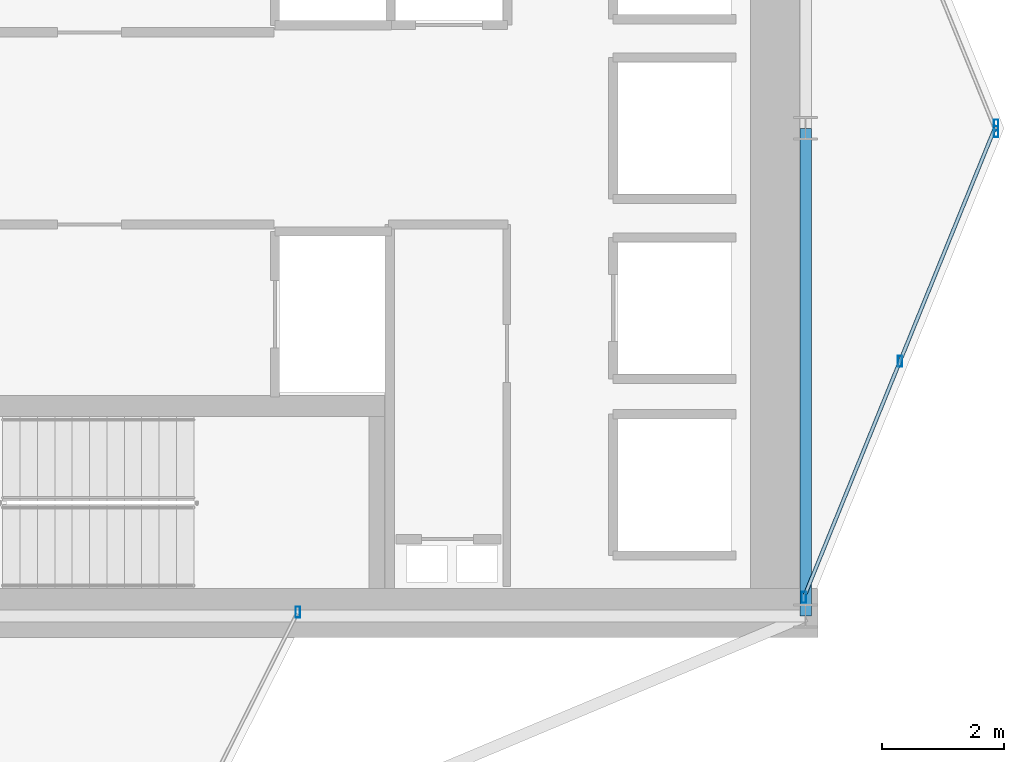
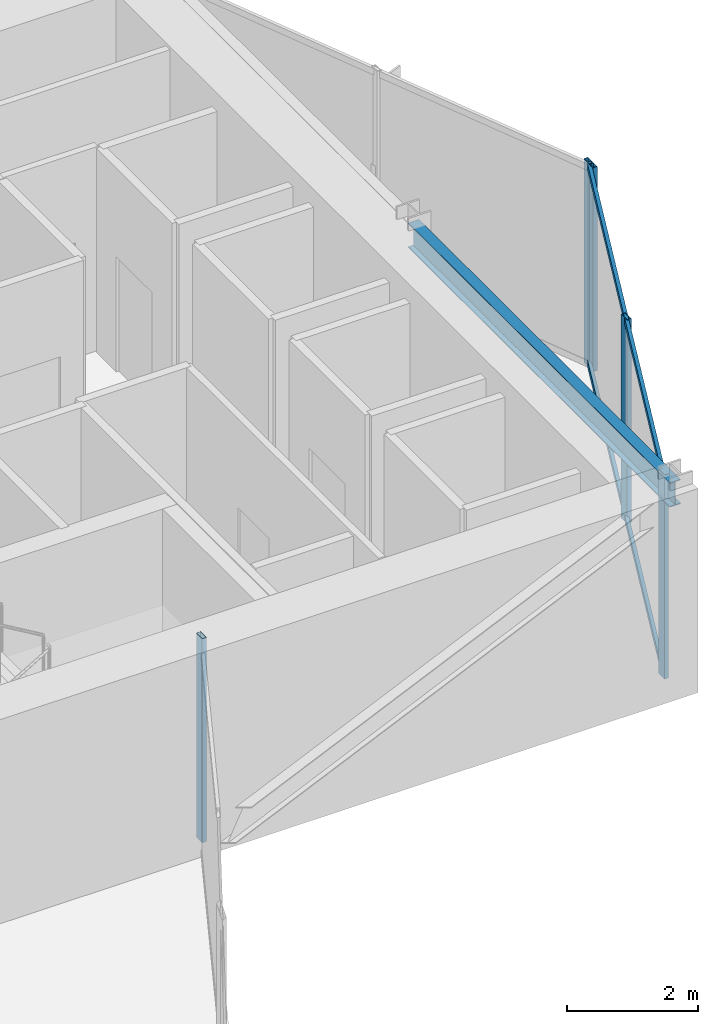
# One storey, part 14 of 26: 7 members, 1 beam, 3 elements without a shape of their own.
"""IFC4 building model written with IfcOpenShell, lengths in metres."""

from ifc_helpers import new_model, si_unit, direction, frame, origin, origin_2d, place, context, subcontext, project, spatial, hollow_rectangle, i_section, extrude, material, layer, layer_set, material_profile, profile_set, type_object, element, aggregate, save


model = new_model("IFC4")

# Units and contexts
model_context = context("Model", 3, precision=1e-05, world=origin(), true_north=direction((0.0, 1.0)))
body_context = subcontext(model_context, "Body", "Model", "MODEL_VIEW")
ifc_project = project(units=[si_unit("LENGTHUNIT", "METRE"), si_unit("AREAUNIT", "SQUARE_METRE"), si_unit("VOLUMEUNIT", "CUBIC_METRE"), si_unit("PLANEANGLEUNIT", "RADIAN"), si_unit("MASSUNIT", "GRAM", prefix="KILO")], contexts=[model_context])

# Site, building, storey
site_placement = place(None, origin())
site = spatial("IfcSite", under=ifc_project, at=site_placement, CompositionType="ELEMENT")
building_placement = place(site_placement, origin())
building = spatial("IfcBuilding", under=site, at=building_placement, Name="Veymaron Broadcast Tower", CompositionType="ELEMENT")
storey_placement = place(building_placement, frame((0.0, 0.0, 133.050048828125)))
storey = spatial("IfcBuildingStorey", under=building, at=storey_placement, Name="L30", CompositionType="ELEMENT", Elevation=133.050048828125)

# Beam
ifc_material_1 = material(Name="Structural steel ASTM A992 Gr 50", Category="steel")
ifc_material_profile_1 = material_profile(ifc_material_1, i_section(OverallWidth=0.19091796875, OverallDepth=0.4599609375, WebThickness=0.010009765625, FlangeThickness=0.01611328125, at=origin_2d()), Name="W460X82")
ifc_profile_set_1 = profile_set([ifc_material_profile_1], Name="Structural steel ASTM A992 Gr 50")
beam_type = type_object("IfcBeamType", Name="BM-SP1", PredefinedType="SPANDREL", material=ifc_profile_set_1)
beam_placement = place(storey_placement, frame((54.60009765625, 16.0, 3.579833984375), z_axis=(0.0, 1.0, 0.0), x_axis=(-1.0, 0.0, 0.0)))
element("IfcBeam", 1, at=beam_placement, inside=storey, type_object=beam_type, Name="L30 primary structural floor girder", PredefinedType="SPANDREL", context=body_context, shape_type="SweptSolid", body=[
    extrude(i_section(OverallWidth=0.19091796875, OverallDepth=0.4599609375, WebThickness=0.010009765625, FlangeThickness=0.01611328125, at=origin_2d()), origin(), (0.0, 0.0, 1.0), 8.0),
])

# Curtain wall, members
ifc_material_2 = material(Name="Anodised aluminium AA 6063-T6 and laminated low-E dark glass", Category="aluminium")
ifc_layer = layer(ifc_material_2, 0.179931640625)
ifc_layer_set = layer_set([ifc_layer], Name="Anodised aluminium AA 6063-T6 and laminated low-E dark glass")
curtain_wall_type = type_object("IfcCurtainWallType", Name="CW-SYS-03", PredefinedType="NOTDEFINED", material=ifc_layer_set)
curtain_wall_1_placement = place(storey_placement, origin())
curtain_wall_1 = element("IfcCurtainWall", 2, at=curtain_wall_1_placement, inside=storey, type_object=curtain_wall_type, Name="L30 dark-glass curtain wall CW-L30-E2-1", PredefinedType="NOTDEFINED")
ifc_material_3 = material(Name="Anodised aluminium AA 6063-T6", Category="aluminium")
ifc_material_profile_2 = material_profile(ifc_material_3, hollow_rectangle(XDim=0.074951171875, YDim=0.179931640625, WallThickness=0.0048828125, at=origin_2d()), Name="AL180X75X5")
ifc_profile_set_2 = profile_set([ifc_material_profile_2], Name="Anodised aluminium AA 6063-T6")
member_type_1 = type_object("IfcMemberType", Name="CW-MUL-02", PredefinedType="MULLION", material=ifc_profile_set_2)
member_1_placement = place(storey_placement, frame((54.572998046875, 16.304931640625, 0.0), z_axis=(0.0, 0.0, 1.0), x_axis=(1.0, 0.0, 0.0)))
member_1 = element("IfcMember", 3, at=member_1_placement, type_object=member_type_1, Name="CW-L30-E2-1 mullion 0", PredefinedType="MULLION", context=body_context, shape_type="SweptSolid", body=[
    extrude(hollow_rectangle(XDim=0.074951171875, YDim=0.179931640625, WallThickness=0.0048828125, at=origin_2d()), origin(), (0.0, 0.0, 1.0), 3.81005859375),
])
member_2_placement = place(storey_placement, frame((56.149169921875, 20.178955078125, 0.0), z_axis=(0.0, 0.0, 1.0), x_axis=(1.0, 0.0, 0.0)))
member_2 = element("IfcMember", 4, at=member_2_placement, type_object=member_type_1, Name="CW-L30-E2-1 mullion 1", PredefinedType="MULLION", context=body_context, shape_type="SweptSolid", body=[
    extrude(hollow_rectangle(XDim=0.074951171875, YDim=0.179931640625, WallThickness=0.0048828125, at=origin_2d()), origin(), (0.0, 0.0, 1.0), 3.81005859375),
])
member_3_placement = place(storey_placement, frame((57.725341796875, 24.052734375, 0.0), z_axis=(0.0, 0.0, 1.0), x_axis=(1.0, 0.0, 0.0)))
member_3 = element("IfcMember", 5, at=member_3_placement, type_object=member_type_1, Name="CW-L30-E2-1 mullion 2", PredefinedType="MULLION", context=body_context, shape_type="SweptSolid", body=[
    extrude(hollow_rectangle(XDim=0.074951171875, YDim=0.179931640625, WallThickness=0.0048828125, at=origin_2d()), origin(), (0.0, 0.0, 1.0), 3.81005859375),
])

# Curtain wall, member
curtain_wall_2_placement = place(storey_placement, origin())
curtain_wall_2 = element("IfcCurtainWall", 6, at=curtain_wall_2_placement, inside=storey, type_object=curtain_wall_type, Name="L30 dark-glass curtain wall CW-L30-E3-1", PredefinedType="NOTDEFINED")
member_4_placement = place(storey_placement, frame((57.725341796875, 23.947265625, 0.0), z_axis=(0.0, 0.0, 1.0), x_axis=(1.0, 0.0, 0.0)))
member_4 = element("IfcMember", 7, at=member_4_placement, type_object=member_type_1, Name="CW-L30-E3-1 mullion 0", PredefinedType="MULLION", context=body_context, shape_type="SweptSolid", body=[
    extrude(hollow_rectangle(XDim=0.074951171875, YDim=0.179931640625, WallThickness=0.0048828125, at=origin_2d()), origin(), (0.0, 0.0, 1.0), 3.81005859375),
])
aggregate(curtain_wall_2, [member_4])

curtain_wall_3_placement = place(storey_placement, origin())
curtain_wall_3 = element("IfcCurtainWall", 8, at=curtain_wall_3_placement, inside=storey, type_object=curtain_wall_type, Name="L30 dark-glass curtain wall CW-L30-E20-1", PredefinedType="NOTDEFINED")
member_5_placement = place(storey_placement, frame((46.27099609375, 16.06298828125, 0.0), z_axis=(0.0, 0.0, 1.0), x_axis=(1.0, 0.0, 0.0)))
member_5 = element("IfcMember", 9, at=member_5_placement, type_object=member_type_1, Name="CW-L30-E20-1 mullion 2", PredefinedType="MULLION", context=body_context, shape_type="SweptSolid", body=[
    extrude(hollow_rectangle(XDim=0.074951171875, YDim=0.179931640625, WallThickness=0.0048828125, at=origin_2d()), origin(), (0.0, 0.0, 1.0), 3.81005859375),
])
aggregate(curtain_wall_3, [member_5])

# Member
ifc_material_profile_3 = material_profile(ifc_material_3, hollow_rectangle(XDim=0.06005859375, YDim=0.1201171875, WallThickness=0.00390625, at=origin_2d()), Name="AL120X60X4")
ifc_profile_set_3 = profile_set([ifc_material_profile_3], Name="Anodised aluminium AA 6063-T6")
member_type_2 = type_object("IfcMemberType", Name="CW-TRN-02", PredefinedType="USERDEFINED", material=ifc_profile_set_3)
member_6_placement = place(storey_placement, frame((54.591796875, 16.351318359375, 0.070068359375), z_axis=(0.376874596189, 0.926264292061, 0.0), x_axis=(-0.926264292061, 0.376874596189, 0.0)))
member_6 = element("IfcMember", 10, at=member_6_placement, type_object=member_type_2, Name="CW-L30-E2-1 transom B", ObjectType="TRANSOM", PredefinedType="USERDEFINED", context=body_context, shape_type="SweptSolid", body=[
    extrude(hollow_rectangle(XDim=0.06005859375, YDim=0.1201171875, WallThickness=0.00390625, at=origin_2d()), origin(), (0.0, 0.0, 1.0), 8.2646484375),
])

member_7_placement = place(storey_placement, frame((54.591796875, 16.351318359375, 3.739990234375), z_axis=(0.376874596189, 0.926264292061, 0.0), x_axis=(-0.926264292061, 0.376874596189, 0.0)))
member_7 = element("IfcMember", 11, at=member_7_placement, type_object=member_type_2, Name="CW-L30-E2-1 transom T", ObjectType="TRANSOM", PredefinedType="USERDEFINED", context=body_context, shape_type="SweptSolid", body=[
    extrude(hollow_rectangle(XDim=0.06005859375, YDim=0.1201171875, WallThickness=0.00390625, at=origin_2d()), origin(), (0.0, 0.0, 1.0), 8.2646484375),
])

aggregate(curtain_wall_1, [member_1, member_2, member_3, member_6, member_7])

save(model, "model.ifc")
